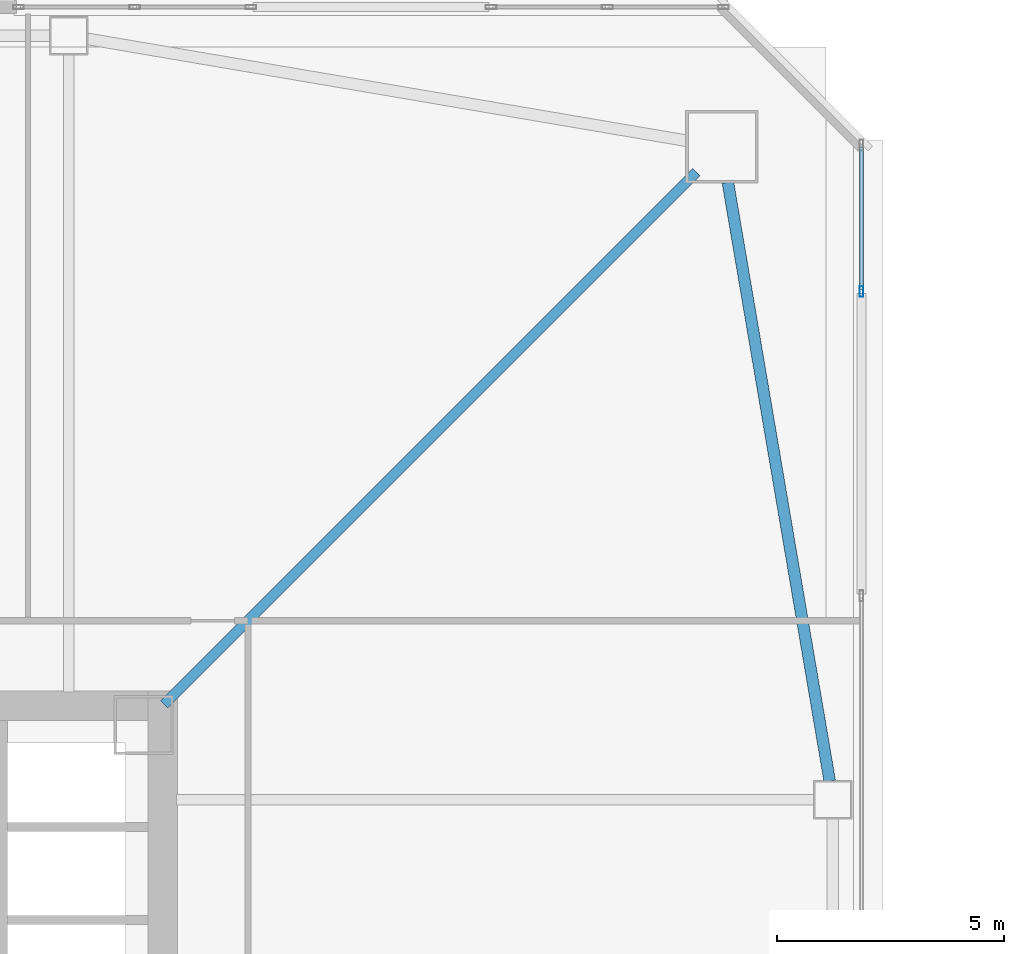
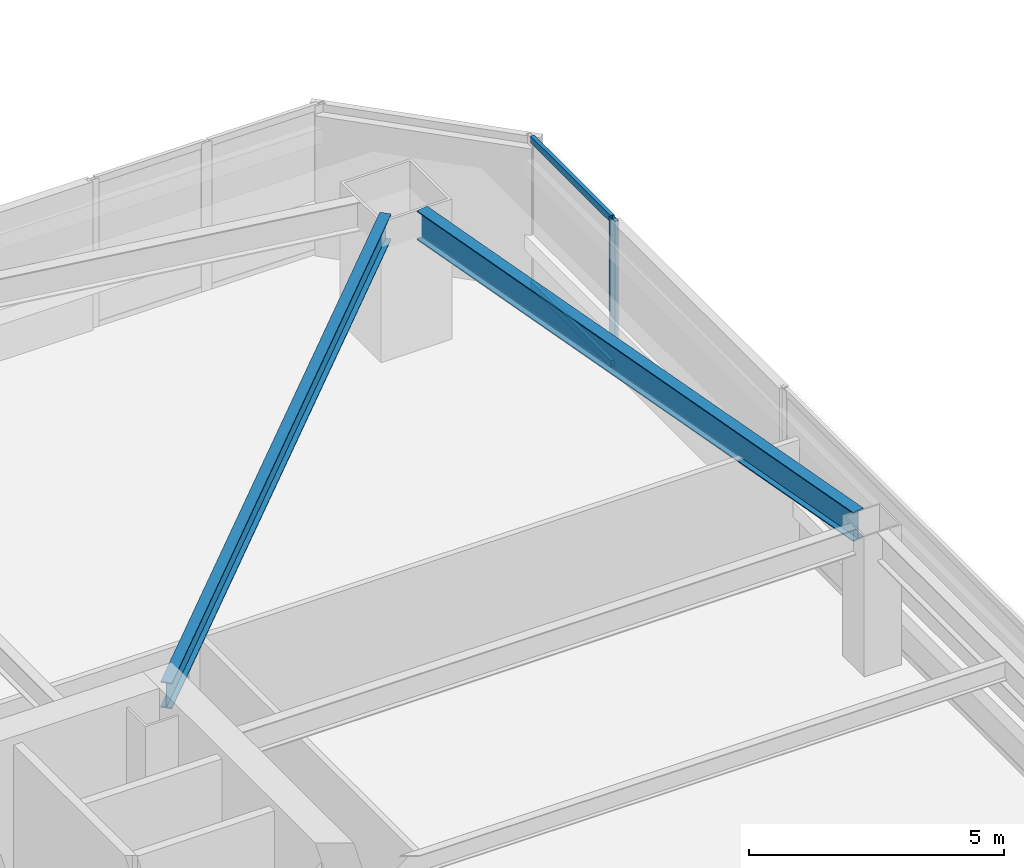
# One storey, part 18 of 51: 3 members, 2 beams, 1 element without a shape of its own.
"""IFC4 building model written with IfcOpenShell, lengths in metres."""

from ifc_helpers import new_model, si_unit, direction, frame, origin, origin_2d, place, context, subcontext, project, spatial, hollow_rectangle, i_section, extrude, material, material_profile, profile_set, type_object, element, aggregate, save


model = new_model("IFC4")

# Units and contexts
model_context = context("Model", 3, precision=1e-05, world=origin(), true_north=direction((0.0, 1.0)))
body_context = subcontext(model_context, "Body", "Model", "MODEL_VIEW")
ifc_project = project(units=[si_unit("LENGTHUNIT", "METRE"), si_unit("AREAUNIT", "SQUARE_METRE"), si_unit("VOLUMEUNIT", "CUBIC_METRE"), si_unit("PLANEANGLEUNIT", "RADIAN"), si_unit("MASSUNIT", "GRAM", prefix="KILO")], contexts=[model_context])

# Site, building, storey
site_placement = place(None, origin())
site = spatial("IfcSite", under=ifc_project, at=site_placement, CompositionType="ELEMENT")
building_placement = place(site_placement, origin())
building = spatial("IfcBuilding", under=site, at=building_placement, Name="Tashvorn Skyway Center", CompositionType="ELEMENT")
storey_placement = place(building_placement, frame((0.0, 0.0, 49.449951171875)))
storey = spatial("IfcBuildingStorey", under=building, at=storey_placement, Name="L12", CompositionType="ELEMENT", Elevation=49.449951171875)

# Beams
ifc_material_1 = material(Name="Steel ASTM A992 Grade 50", Category="steel")
ifc_material_profile_1 = material_profile(ifc_material_1, i_section(OverallWidth=0.22998046875, OverallDepth=0.616943359375, WebThickness=0.01318359375, FlangeThickness=0.022216796875, at=origin_2d()), Name="W24X94")
ifc_profile_set_1 = profile_set([ifc_material_profile_1], Name="Steel ASTM A992 Grade 50")
beam_type_1 = type_object("IfcBeamType", Name="BM-BEAM-W24X94", PredefinedType="BEAM", material=ifc_profile_set_1)
beam_1_placement = place(storey_placement, frame((61.23779296875, 51.23779296875, 3.04150390625), z_axis=(-0.707106781187, -0.707106781187, 0.0), x_axis=(0.707106781187, -0.707106781187, 0.0)))
element("IfcBeam", 1, at=beam_1_placement, inside=storey, type_object=beam_type_1, Name="Tower 1 L12 Primary Floor Girder MC-NE", PredefinedType="BEAM", context=body_context, shape_type="SweptSolid", body=[
    extrude(i_section(OverallWidth=0.22998046875, OverallDepth=0.616943359375, WebThickness=0.01318359375, FlangeThickness=0.022216796875, at=origin_2d()), origin(), (0.0, 0.0, 1.0), 16.591064453125),
])
ifc_material_profile_2 = material_profile(ifc_material_1, i_section(OverallWidth=0.256103515625, OverallDepth=0.693115234375, WebThickness=0.014404296875, FlangeThickness=0.023681640625, at=origin_2d()), Name="W27X114")
ifc_profile_set_2 = profile_set([ifc_material_profile_2], Name="Steel ASTM A992 Grade 50")
beam_type_2 = type_object("IfcBeamType", Name="BM-SPANDREL-W27X114", PredefinedType="SPANDREL", material=ifc_profile_set_2)
beam_2_placement = place(storey_placement, frame((64.179443359375, 37.81396484375, 3.003662109375), z_axis=(-0.16771792509, 0.985835025551, 0.0), x_axis=(-0.985835025551, -0.16771792509, 0.0)))
element("IfcBeam", 2, at=beam_2_placement, inside=storey, type_object=beam_type_2, Name="Tower 1 L12 Spandrel Beam 06", PredefinedType="SPANDREL", context=body_context, shape_type="SweptSolid", body=[
    extrude(i_section(OverallWidth=0.256103515625, OverallDepth=0.693115234375, WebThickness=0.014404296875, FlangeThickness=0.023681640625, at=origin_2d()), origin(), (0.0, 0.0, 1.0), 13.39208984375),
])

# Curtain wall, members
ifc_material_2 = material(Name="Thermally broken bronze-anodized aluminium 6063-T6", Category="aluminium")
curtain_wall_type = type_object("IfcCurtainWallType", Name="CW-CW-Z1", PredefinedType="NOTDEFINED", material=ifc_material_2)
curtain_wall_placement = place(storey_placement, origin())
curtain_wall = element("IfcCurtainWall", 3, at=curtain_wall_placement, inside=storey, type_object=curtain_wall_type, Name="Tower 1 L12 East Unitised Curtain Wall Glazing Group 1", PredefinedType="NOTDEFINED")
ifc_material_profile_3 = material_profile(ifc_material_2, hollow_rectangle(XDim=0.0849609375, YDim=0.239990234375, WallThickness=0.0048828125, at=origin_2d()), Name="ALU-MULL-85x240")
ifc_profile_set_3 = profile_set([ifc_material_profile_3], Name="Thermally broken bronze-anodized aluminium 6063-T6")
member_type_1 = type_object("IfcMemberType", Name="CWM-CW-Z1", PredefinedType="MULLION", material=ifc_profile_set_3)
member_1_placement = place(storey_placement, frame((64.8798828125, 48.609130859375, 0.0), z_axis=(0.0, 0.0, 1.0), x_axis=(1.0, 0.0, 0.0)))
member_1 = element("IfcMember", 4, at=member_1_placement, type_object=member_type_1, Name="CW-Z1 mullion 2", PredefinedType="MULLION", context=body_context, shape_type="SweptSolid", body=[
    extrude(hollow_rectangle(XDim=0.0849609375, YDim=0.239990234375, WallThickness=0.0048828125, at=origin_2d()), origin(), (0.0, 0.0, 1.0), 3.550048828125),
])
ifc_material_profile_4 = material_profile(ifc_material_2, hollow_rectangle(XDim=0.0849609375, YDim=0.1650390625, WallThickness=0.0048828125, at=origin_2d()), Name="ALU-TRAN-85x165")
ifc_profile_set_4 = profile_set([ifc_material_profile_4], Name="Thermally broken bronze-anodized aluminium 6063-T6")
member_type_2 = type_object("IfcMemberType", Name="CWT-CW-Z1", PredefinedType="USERDEFINED", material=ifc_profile_set_4)
member_2_placement = place(storey_placement, frame((64.8798828125, 51.794921875, 0.04248046875), z_axis=(0.0, -1.0, 0.0), x_axis=(1.0, 0.0, 0.0)))
member_2 = element("IfcMember", 5, at=member_2_placement, type_object=member_type_2, Name="CW-Z1 transom 1.1", ObjectType="TRANSOM", PredefinedType="USERDEFINED", context=body_context, shape_type="SweptSolid", body=[
    extrude(hollow_rectangle(XDim=0.0849609375, YDim=0.1650390625, WallThickness=0.0048828125, at=origin_2d()), origin(), (0.0, 0.0, 1.0), 3.143310546875),
])
member_3_placement = place(storey_placement, frame((64.8798828125, 51.794921875, 3.507568359375), z_axis=(0.0, -1.0, 0.0), x_axis=(1.0, 0.0, 0.0)))
member_3 = element("IfcMember", 6, at=member_3_placement, type_object=member_type_2, Name="CW-Z1 transom 1.2", ObjectType="TRANSOM", PredefinedType="USERDEFINED", context=body_context, shape_type="SweptSolid", body=[
    extrude(hollow_rectangle(XDim=0.0849609375, YDim=0.1650390625, WallThickness=0.0048828125, at=origin_2d()), origin(), (0.0, 0.0, 1.0), 3.143310546875),
])
aggregate(curtain_wall, [member_1, member_2, member_3])

save(model, "model.ifc")
